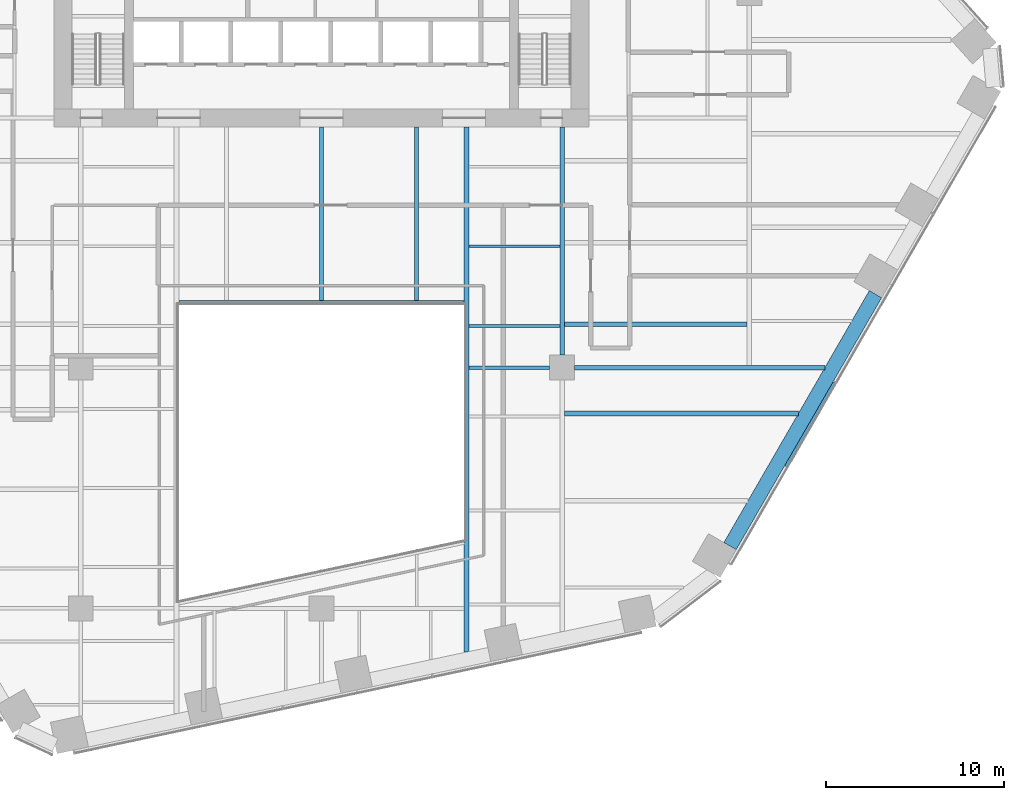
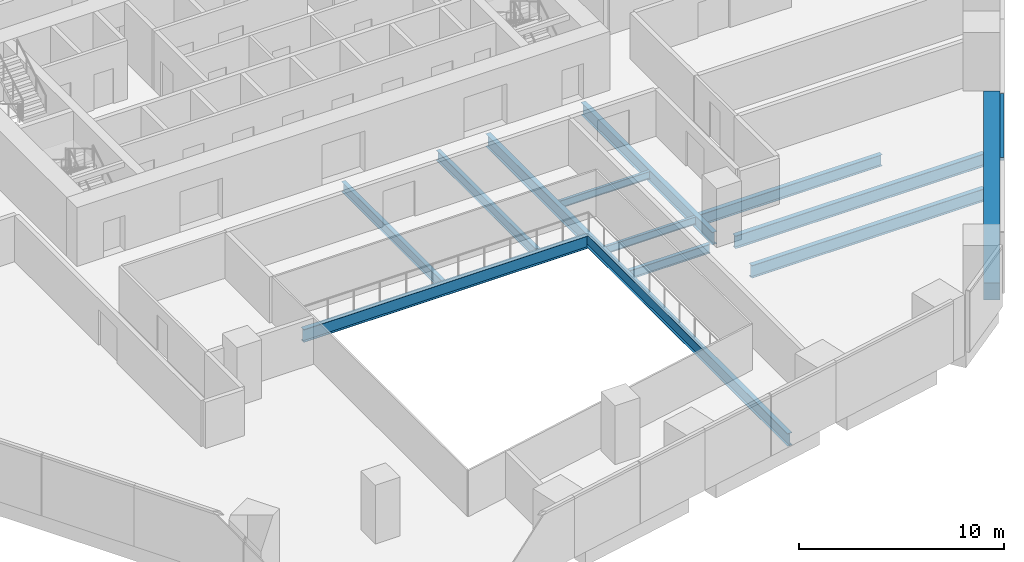
# One storey, part 6 of 21: 12 beams, 1 member, 1 element without a shape of its own.
"""IFC4 building model written with IfcOpenShell, lengths in metres."""

from ifc_helpers import new_model, si_unit, direction, frame, origin, origin_2d, place, context, subcontext, project, spatial, rectangle, i_section, extrude, material, layer, layer_set, material_profile, profile_set, type_object, element, aggregate, save


model = new_model("IFC4")

# Units and contexts
model_context = context("Model", 3, precision=1e-05, world=origin(), true_north=direction((0.0, 1.0)))
body_context = subcontext(model_context, "Body", "Model", "MODEL_VIEW")
ifc_project = project(units=[si_unit("LENGTHUNIT", "METRE"), si_unit("AREAUNIT", "SQUARE_METRE"), si_unit("VOLUMEUNIT", "CUBIC_METRE"), si_unit("PLANEANGLEUNIT", "RADIAN"), si_unit("MASSUNIT", "GRAM", prefix="KILO")], contexts=[model_context])

# Site, building, storey
site_placement = place(None, origin())
site = spatial("IfcSite", under=ifc_project, at=site_placement, CompositionType="ELEMENT")
building_placement = place(site_placement, origin())
building = spatial("IfcBuilding", under=site, at=building_placement, Name="Isthmus Gate Tower", CompositionType="ELEMENT")
storey_placement = place(building_placement, frame((0.0, 0.0, 50.60009765625)))
storey = spatial("IfcBuildingStorey", under=building, at=storey_placement, Name="L10", CompositionType="ELEMENT", Elevation=50.60009765625)

# Curtain wall, member
ifc_material_1 = material(Name="Aluminium, pale champagne anodised", Category="aluminium")
ifc_layer = layer(ifc_material_1, 0.199951171875)
ifc_layer_set = layer_set([ifc_layer], Name="CW-1 UNITISED CURTAIN WALL 200 DEEP")
curtain_wall_type = type_object("IfcCurtainWallType", Name="CW-1 UNITISED CURTAIN WALL 200 DEEP", PredefinedType="NOTDEFINED", material=ifc_layer_set)
curtain_wall_placement = place(storey_placement, origin())
curtain_wall = element("IfcCurtainWall", 1, at=curtain_wall_placement, inside=storey, type_object=curtain_wall_type, Name="CW-1 SE L10", PredefinedType="NOTDEFINED")
ifc_material_2 = material(Name="Aluminium, pale champagne anodised", Category="aluminium")
ifc_material_profile_1 = material_profile(ifc_material_2, rectangle(XDim=0.199951171875, YDim=0.14990234375, at=origin_2d()), Name="200x150")
ifc_profile_set_1 = profile_set([ifc_material_profile_1], Name="Aluminium, pale champagne anodised")
member_type = type_object("IfcMemberType", Name="CW-1 TRANSOM 200 X 150", PredefinedType="USERDEFINED", material=ifc_profile_set_1)
member_placement = place(storey_placement, frame((26.06787109375, -19.04931640625, 3.574951171875), z_axis=(0.499991872758, 0.866030095999, 0.0), x_axis=(-0.866030095999, 0.499991872758, 0.0)))
member = element("IfcMember", 2, at=member_placement, type_object=member_type, Name="CW-1 transom", ObjectType="TRANSOM", PredefinedType="USERDEFINED", context=body_context, shape_type="SweptSolid", body=[
    extrude(rectangle(XDim=0.199951171875, YDim=0.14990234375, at=origin_2d()), origin(), (0.0, 0.0, 1.0), 5.4384765625),
])
aggregate(curtain_wall, [member])

# Beams
ifc_material_3 = material(Name="Concrete f'c 70 MPa", Category="concrete")
ifc_material_profile_2 = material_profile(ifc_material_3, rectangle(XDim=0.800048828125, YDim=1.0, at=origin_2d()), Name="RC 800X1000")
ifc_profile_set_2 = profile_set([ifc_material_profile_2], Name="Concrete f'c 70 MPa")
beam_type_1 = type_object("IfcBeamType", Name="RC SPANDREL 800 X 1000", PredefinedType="SPANDREL", material=ifc_profile_set_2)
beam_1_placement = place(storey_placement, frame((31.0732421875, -9.37939453125, -0.5), z_axis=(-0.499991872758, -0.866030095999, 0.0), x_axis=(0.866030095999, -0.499991872758, 0.0)))
element("IfcBeam", 3, at=beam_1_placement, inside=storey, type_object=beam_type_1, Name="str-spandrel-L10-08", PredefinedType="SPANDREL", context=body_context, shape_type="SweptSolid", body=[
    extrude(rectangle(XDim=0.800048828125, YDim=1.0, at=origin_2d()), origin(), (0.0, 0.0, 1.0), 16.315673828125),
])
ifc_material_4 = material(Name="Structural steel ASTM A992 Gr 50", Category="steel")
ifc_material_profile_3 = material_profile(ifc_material_4, i_section(OverallWidth=0.15234375, OverallDepth=0.45068359375, WebThickness=0.0078125, FlangeThickness=0.010986328125, at=origin_2d()), Name="W18X35")
ifc_profile_set_3 = profile_set([ifc_material_profile_3], Name="Structural steel ASTM A992 Gr 50")
beam_type_2 = type_object("IfcBeamType", Name="STEEL FLOOR BEAM W18X35", PredefinedType="JOIST", material=ifc_profile_set_3)
for number, where, z_axis, x_axis, name in (
    (4, (8.263427734375, -11.16259765625, -0.37548828125), (1.0, 0.0, 0.0), (0.0, 1.0, 0.0), "str-beam-L10-23-00"),
    (5, (8.263427734375, -6.697509765625, -0.37548828125), (1.0, 0.0, 0.0), (0.0, 1.0, 0.0), "str-beam-L10-23-01"),
):
    element("IfcBeam", number, at=place(storey_placement, frame(where, z_axis=z_axis, x_axis=x_axis)), inside=storey, type_object=beam_type_2, Name=name, PredefinedType="JOIST", context=body_context, shape_type="SweptSolid", body=[
        extrude(i_section(OverallWidth=0.15234375, OverallDepth=0.45068359375, WebThickness=0.0078125, FlangeThickness=0.010986328125, at=origin_2d()), origin(), (0.0, 0.0, 1.0), 5.104736328125),
    ])
ifc_material_5 = material(Name="Structural steel ASTM A992 Gr 50", Category="steel")
ifc_material_profile_4 = material_profile(ifc_material_5, i_section(OverallWidth=0.228515625, OverallDepth=0.603271484375, WebThickness=0.010986328125, FlangeThickness=0.014404296875, at=origin_2d()), Name="W24X68")
ifc_profile_set_4 = profile_set([ifc_material_profile_4], Name="Structural steel ASTM A992 Gr 50")
beam_type_3 = type_object("IfcBeamType", Name="STEEL FLOOR BEAM W24X68", PredefinedType="JOIST", material=ifc_profile_set_4)
for number, where, z_axis, x_axis, name in (
    (6, (0.0, -9.7333984375, -0.45166015625), (0.0, 1.0, 0.0), (-1.0, 0.0, 0.0), "str-beam-L10-16-01"),
    (7, (5.333251953125, -9.7333984375, -0.45166015625), (0.0, 1.0, 0.0), (-1.0, 0.0, 0.0), "str-beam-L10-16-02"),
):
    element("IfcBeam", number, at=place(storey_placement, frame(where, z_axis=z_axis, x_axis=x_axis)), inside=storey, type_object=beam_type_3, Name=name, PredefinedType="JOIST", context=body_context, shape_type="SweptSolid", body=[
        extrude(i_section(OverallWidth=0.228515625, OverallDepth=0.603271484375, WebThickness=0.010986328125, FlangeThickness=0.014404296875, at=origin_2d()), origin(), (0.0, 0.0, 1.0), 9.7333984375),
    ])
ifc_material_6 = material(Name="Structural steel ASTM A992 Gr 50", Category="steel")
ifc_material_profile_5 = material_profile(ifc_material_6, i_section(OverallWidth=0.25390625, OverallDepth=0.679443359375, WebThickness=0.010986328125, FlangeThickness=0.015869140625, at=origin_2d()), Name="W27X84")
ifc_profile_set_5 = profile_set([ifc_material_profile_5], Name="Structural steel ASTM A992 Gr 50")
beam_type_4 = type_object("IfcBeamType", Name="STEEL FLOOR BEAM W27X84", PredefinedType="JOIST", material=ifc_profile_set_5)
beam_2_placement = place(storey_placement, frame((13.6318359375, -11.07470703125, -0.48974609375), z_axis=(1.0, 0.0, 0.0), x_axis=(0.0, 1.0, 0.0)))
element("IfcBeam", 8, at=beam_2_placement, inside=storey, type_object=beam_type_4, Name="str-beam-L10-27-00", PredefinedType="JOIST", context=body_context, shape_type="SweptSolid", body=[
    extrude(i_section(OverallWidth=0.25390625, OverallDepth=0.679443359375, WebThickness=0.010986328125, FlangeThickness=0.015869140625, at=origin_2d()), origin(), (0.0, 0.0, 1.0), 10.23486328125),
])
ifc_material_7 = material(Name="Structural steel ASTM A992 Gr 50", Category="steel")
ifc_material_profile_6 = material_profile(ifc_material_7, i_section(OverallWidth=0.263427734375, OverallDepth=0.749267578125, WebThickness=0.0126953125, FlangeThickness=0.015869140625, at=origin_2d()), Name="W30X90")
ifc_profile_set_6 = profile_set([ifc_material_profile_6], Name="Structural steel ASTM A992 Gr 50")
beam_type_5 = type_object("IfcBeamType", Name="STEEL FLOOR BEAM W30X90", PredefinedType="JOIST", material=ifc_profile_set_6)
beam_3_placement = place(storey_placement, frame((13.63330078125, -16.0751953125, -0.524658203125), z_axis=(1.0, 0.0, 0.0), x_axis=(0.0, 1.0, 0.0)))
element("IfcBeam", 9, at=beam_3_placement, inside=storey, type_object=beam_type_5, Name="str-beam-L10-28-02", PredefinedType="JOIST", context=body_context, shape_type="SweptSolid", body=[
    extrude(i_section(OverallWidth=0.263427734375, OverallDepth=0.749267578125, WebThickness=0.0126953125, FlangeThickness=0.015869140625, at=origin_2d()), origin(), (0.0, 0.0, 1.0), 13.1123046875),
])
ifc_material_8 = material(Name="Structural steel ASTM A992 Gr 50", Category="steel")
ifc_material_profile_7 = material_profile(ifc_material_8, i_section(OverallWidth=0.20947265625, OverallDepth=0.533447265625, WebThickness=0.009521484375, FlangeThickness=0.015869140625, at=origin_2d()), Name="W21X62")
ifc_profile_set_7 = profile_set([ifc_material_profile_7], Name="Structural steel ASTM A992 Gr 50")
beam_type_6 = type_object("IfcBeamType", Name="STEEL GIRDER W21X62", PredefinedType="BEAM", material=ifc_profile_set_7)
beam_4_placement = place(storey_placement, frame((8.263427734375, -13.5, -0.416748046875), z_axis=(1.0, 0.0, 0.0), x_axis=(0.0, 1.0, 0.0)))
element("IfcBeam", 10, at=beam_4_placement, inside=storey, type_object=beam_type_6, Name="str-girder-L10-07", PredefinedType="BEAM", context=body_context, shape_type="SweptSolid", body=[
    extrude(i_section(OverallWidth=0.20947265625, OverallDepth=0.533447265625, WebThickness=0.009521484375, FlangeThickness=0.015869140625, at=origin_2d()), origin(), (0.0, 0.0, 1.0), 4.53662109375),
])
ifc_material_9 = material(Name="Structural steel ASTM A992 Gr 50", Category="steel")
ifc_material_profile_8 = material_profile(ifc_material_9, i_section(OverallWidth=0.2666015625, OverallDepth=0.7587890625, WebThickness=0.014404296875, FlangeThickness=0.01904296875, at=origin_2d()), Name="W30X108")
ifc_profile_set_8 = profile_set([ifc_material_profile_8], Name="Structural steel ASTM A992 Gr 50")
beam_type_7 = type_object("IfcBeamType", Name="STEEL GIRDER W30X108", PredefinedType="BEAM", material=ifc_profile_set_8)
beam_5_placement = place(storey_placement, frame((14.199951171875, -13.5, -0.529541015625), z_axis=(1.0, 0.0, 0.0), x_axis=(0.0, 1.0, 0.0)))
element("IfcBeam", 11, at=beam_5_placement, inside=storey, type_object=beam_type_7, Name="str-girder-L10-08", PredefinedType="BEAM", context=body_context, shape_type="SweptSolid", body=[
    extrude(i_section(OverallWidth=0.2666015625, OverallDepth=0.7587890625, WebThickness=0.014404296875, FlangeThickness=0.01904296875, at=origin_2d()), origin(), (0.0, 0.0, 1.0), 14.032470703125),
])
ifc_material_10 = material(Name="Structural steel ASTM A992 Gr 50", Category="steel")
ifc_material_profile_9 = material_profile(ifc_material_10, i_section(OverallWidth=0.263427734375, OverallDepth=0.749267578125, WebThickness=0.0126953125, FlangeThickness=0.015869140625, at=origin_2d()), Name="W30X90")
ifc_profile_set_9 = profile_set([ifc_material_profile_9], Name="Structural steel ASTM A992 Gr 50")
beam_type_8 = type_object("IfcBeamType", Name="STEEL GIRDER W30X90", PredefinedType="BEAM", material=ifc_profile_set_9)
beam_6_placement = place(storey_placement, frame((13.5, -12.800048828125, -0.524658203125), z_axis=(0.0, 1.0, 0.0), x_axis=(-1.0, 0.0, 0.0)))
element("IfcBeam", 12, at=beam_6_placement, inside=storey, type_object=beam_type_8, Name="str-girder-L10-32", PredefinedType="BEAM", context=body_context, shape_type="SweptSolid", body=[
    extrude(i_section(OverallWidth=0.263427734375, OverallDepth=0.749267578125, WebThickness=0.0126953125, FlangeThickness=0.015869140625, at=origin_2d()), origin(), (0.0, 0.0, 1.0), 12.800048828125),
])
ifc_material_11 = material(Name="Structural steel ASTM A992 Gr 50", Category="steel")
ifc_material_profile_10 = material_profile(ifc_material_11, i_section(OverallWidth=0.2666015625, OverallDepth=0.7587890625, WebThickness=0.014404296875, FlangeThickness=0.01904296875, at=origin_2d()), Name="W30X108")
ifc_profile_set_10 = profile_set([ifc_material_profile_10], Name="Structural steel ASTM A992 Gr 50")
beam_type_9 = type_object("IfcBeamType", Name="STEEL TRIMMER W30X108", PredefinedType="BEAM", material=ifc_profile_set_10)
beam_7_placement = place(storey_placement, frame((8.0, -9.86669921875, -0.529541015625), z_axis=(-1.0, 0.0, 0.0), x_axis=(0.0, -1.0, 0.0)))
element("IfcBeam", 13, at=beam_7_placement, inside=storey, type_object=beam_type_9, Name="str-trimmer-L10-04", PredefinedType="BEAM", context=body_context, shape_type="SweptSolid", body=[
    extrude(i_section(OverallWidth=0.2666015625, OverallDepth=0.7587890625, WebThickness=0.014404296875, FlangeThickness=0.01904296875, at=origin_2d()), origin(), (0.0, 0.0, 1.0), 16.0),
])
ifc_material_12 = material(Name="Structural steel ASTM A992 Gr 50", Category="steel")
ifc_material_profile_11 = material_profile(ifc_material_12, i_section(OverallWidth=0.263427734375, OverallDepth=0.749267578125, WebThickness=0.0126953125, FlangeThickness=0.015869140625, at=origin_2d()), Name="W30X90")
ifc_profile_set_11 = profile_set([ifc_material_profile_11], Name="Structural steel ASTM A992 Gr 50")
beam_type_10 = type_object("IfcBeamType", Name="STEEL TRIMMER W30X90", PredefinedType="BEAM", material=ifc_profile_set_11)
beam_8_placement = place(storey_placement, frame((8.1318359375, -29.45361328125, -0.524658203125), z_axis=(0.0, 1.0, 0.0), x_axis=(-1.0, 0.0, 0.0)))
element("IfcBeam", 14, at=beam_8_placement, inside=storey, type_object=beam_type_10, Name="str-trimmer-L10-01", PredefinedType="BEAM", context=body_context, shape_type="SweptSolid", body=[
    extrude(i_section(OverallWidth=0.263427734375, OverallDepth=0.749267578125, WebThickness=0.0126953125, FlangeThickness=0.015869140625, at=origin_2d()), origin(), (0.0, 0.0, 1.0), 29.45361328125),
])

save(model, "model.ifc")
